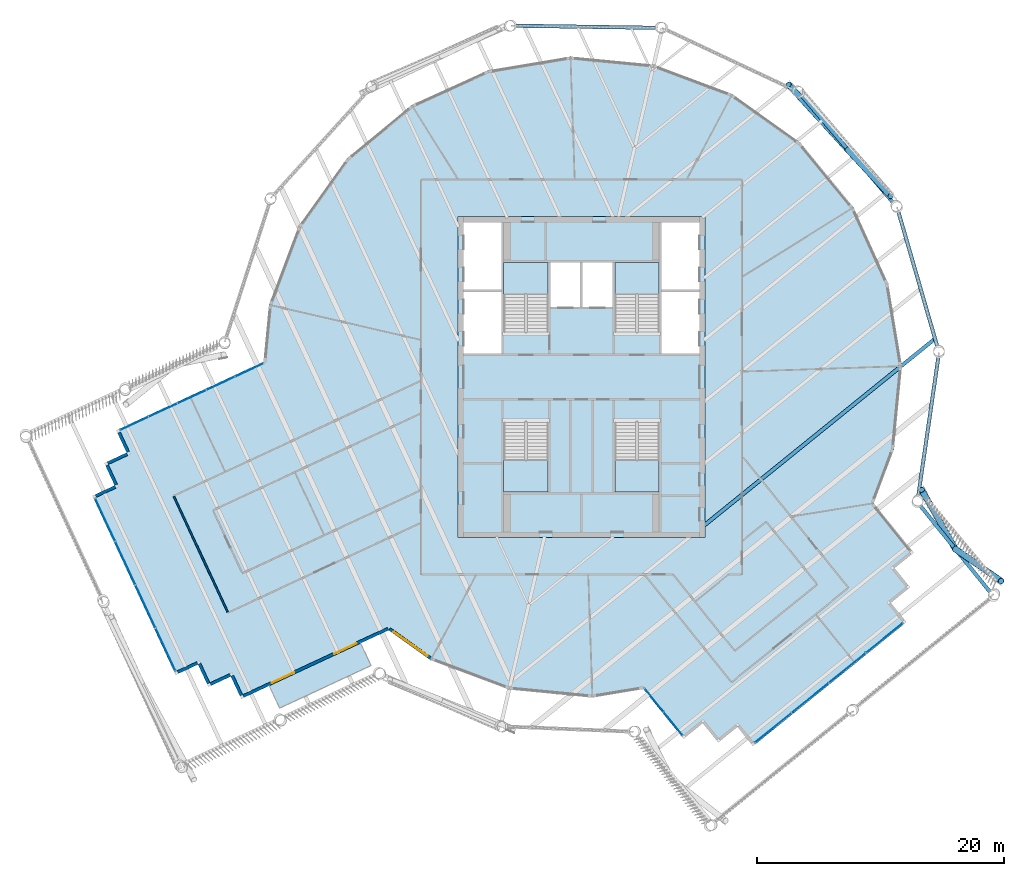
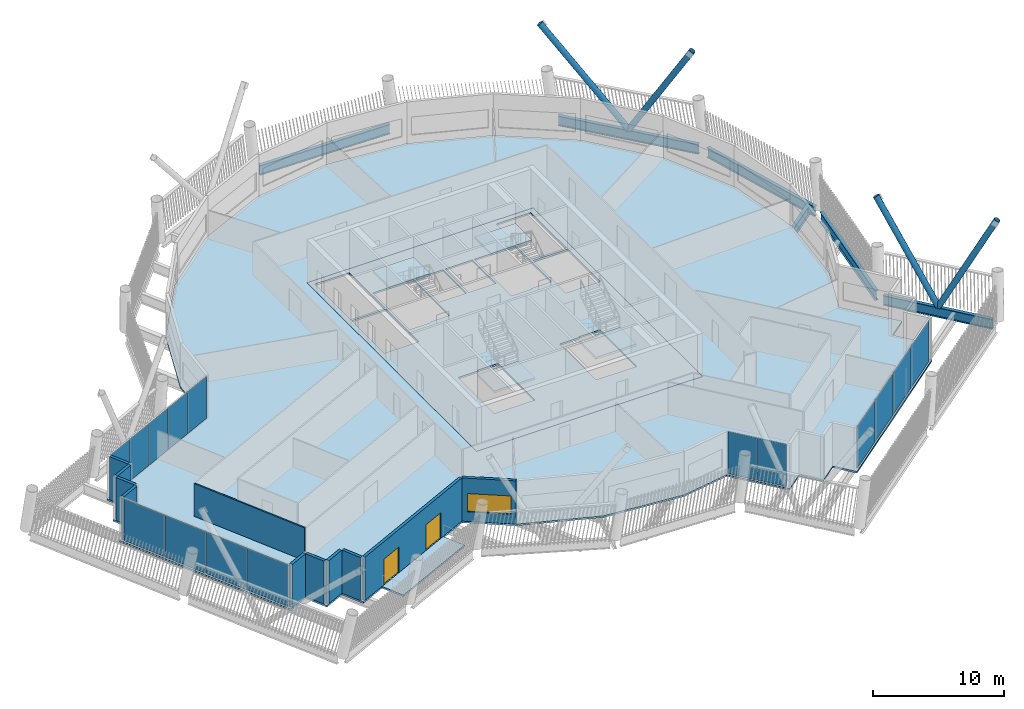
# One storey, part 17 of 36: 15 plates, 11 walls, 7 slabs, 6 beams, 4 members, 2 doors, 1 window, 3 openings, 8 elements without a shape of their own.
"""IFC4 building model written with IfcOpenShell, lengths in metres."""

from ifc_helpers import new_model, si_unit, direction, frame, frame_2d, origin, origin_2d, place, context, subcontext, project, spatial, polyline, rectangle, hollow_circle, i_section, outline, extrude, material, layer, layer_set, material_profile, profile_set, type_object, element, fill, aggregate, save


model = new_model("IFC4")

# Units and contexts
model_context = context("Model", 3, precision=1e-05, world=origin(), true_north=direction((0.0, 1.0)))
body_context = subcontext(model_context, "Body", "Model", "MODEL_VIEW")
ifc_project = project(units=[si_unit("LENGTHUNIT", "METRE"), si_unit("AREAUNIT", "SQUARE_METRE"), si_unit("VOLUMEUNIT", "CUBIC_METRE"), si_unit("PLANEANGLEUNIT", "RADIAN"), si_unit("MASSUNIT", "GRAM", prefix="KILO")], contexts=[model_context])

# Site, building, storey
site_placement = place(None, origin())
site = spatial("IfcSite", under=ifc_project, at=site_placement, CompositionType="ELEMENT")
building_placement = place(site_placement, origin())
building = spatial("IfcBuilding", under=site, at=building_placement, Name="Tarsis Ring Headquarters", CompositionType="ELEMENT")
storey_placement = place(building_placement, frame((0.0, 0.0, 386.0)))
storey = spatial("IfcBuildingStorey", under=building, at=storey_placement, Name="L91", CompositionType="ELEMENT", Elevation=386.0)

# Beam
ifc_material_1 = material(Name="Structural steel S355", Category="steel")
ifc_material_profile_1 = material_profile(ifc_material_1, i_section(OverallWidth=0.3046875, OverallDepth=0.91943359375, WebThickness=0.017333984375, FlangeThickness=0.02783203125, at=origin_2d()), Name="W36x170")
ifc_profile_set_1 = profile_set([ifc_material_profile_1], Name="Structural steel S355")
beam_type_1 = type_object("IfcBeamType", Name="FB Floor beam W36x170", PredefinedType="JOIST", material=ifc_profile_set_1)
beam_1_placement = place(storey_placement, frame((9.922119140625, -12.038818359375, -0.61962890625), z_axis=(0.777581934114, 0.628781628023, 0.0), x_axis=(-0.628781628023, 0.777581934114, 0.0)))
element("IfcBeam", 1, at=beam_1_placement, inside=storey, type_object=beam_type_1, Name="Floor beam FB9", PredefinedType="JOIST", context=body_context, shape_type="SweptSolid", body=[
    extrude(i_section(OverallWidth=0.3046875, OverallDepth=0.91943359375, WebThickness=0.017333984375, FlangeThickness=0.02783203125, at=origin_2d()), origin(), (0.0, 0.0, 1.0), 24.0283203125),
])

# Members
ifc_material_profile_2 = material_profile(ifc_material_1, hollow_circle(Radius=0.25390625, WallThickness=0.02001953125, at=origin_2d()), Name="CHS 508x20")
ifc_profile_set_2 = profile_set([ifc_material_profile_2], Name="Structural steel S355")
member_type = type_object("IfcMemberType", Name="XD X brace CHS 508x20", PredefinedType="BRACE", material=ifc_profile_set_2)
member_1_placement = place(storey_placement, frame((30.307373046875, -13.942138671875, 0.0), z_axis=(-0.271736122795, 0.477972016938, 0.835285717939), x_axis=(-0.869330666579, -0.494230909743, 0.0)))
element("IfcMember", 2, at=member_1_placement, inside=storey, type_object=member_type, Name="X brace XD2", PredefinedType="BRACE", context=body_context, shape_type="SweptSolid", body=[
    extrude(hollow_circle(Radius=0.25390625, WallThickness=0.02001953125, at=origin_2d()), origin(), (0.0, 0.0, 1.0), 10.056396484375),
])
member_2_placement = place(storey_placement, frame((30.307373046875, -13.942138671875, 0.0), z_axis=(0.388406575631, -0.271359902131, 0.88062712627), x_axis=(0.572718881683, 0.819751842062, 0.0)))
element("IfcMember", 3, at=member_2_placement, inside=storey, type_object=member_type, Name="X brace XD2", PredefinedType="BRACE", context=body_context, shape_type="SweptSolid", body=[
    extrude(hollow_circle(Radius=0.25390625, WallThickness=0.02001953125, at=origin_2d()), origin(), (0.0, 0.0, 1.0), 9.53857421875),
])
member_3_placement = place(storey_placement, frame((21.609375, 18.421142578125, 0.0), z_axis=(-0.437052173056, 0.479024935284, 0.761262444498), x_axis=(-0.738729959166, -0.674001518864, 0.0)))
element("IfcMember", 4, at=member_3_placement, inside=storey, type_object=member_type, Name="X brace XD2", PredefinedType="BRACE", context=body_context, shape_type="SweptSolid", body=[
    extrude(hollow_circle(Radius=0.25390625, WallThickness=0.02001953125, at=origin_2d()), origin(), (0.0, 0.0, 1.0), 11.0341796875),
])
member_4_placement = place(storey_placement, frame((21.609375, 18.421142578125, 0.0), z_axis=(0.351883648111, -0.38083657205, 0.85506806956), x_axis=(0.734474435048, 0.678636356424, 0.0)))
element("IfcMember", 5, at=member_4_placement, inside=storey, type_object=member_type, Name="X brace XD2", PredefinedType="BRACE", context=body_context, shape_type="SweptSolid", body=[
    extrude(hollow_circle(Radius=0.25390625, WallThickness=0.02001953125, at=origin_2d()), origin(), (0.0, 0.0, 1.0), 9.82373046875),
])

# Beams
beam_type_2 = type_object("IfcBeamType", Name="XG Ring girder W36x170", PredefinedType="BEAM", material=ifc_profile_set_1)
beam_2_placement = place(storey_placement, frame((33.131103515625, -17.43408203125, -0.459716796875), z_axis=(-0.628783700433, 0.777580258282, 0.0), x_axis=(-0.777580258282, -0.628783700433, 0.0)))
element("IfcBeam", 6, at=beam_2_placement, inside=storey, type_object=beam_type_2, Name="Ring girder XG4", PredefinedType="BEAM", context=body_context, shape_type="SweptSolid", body=[
    extrude(i_section(OverallWidth=0.3046875, OverallDepth=0.91943359375, WebThickness=0.017333984375, FlangeThickness=0.02783203125, at=origin_2d()), origin(), (0.0, 0.0, 1.0), 8.9814453125),
])
for number, where, z_axis, x_axis, name in (
    (7, (27.283935546875, -9.722900390625, -0.459716796875), (0.1432907643, 0.989680633773, 0.0), (-0.989680633773, 0.1432907643, 0.0), "Ring girder XG4"),
    (8, (28.865966796875, 2.387451171875, -0.459716796875), (-0.277370043648, 0.960763164826, 0.0), (-0.960763164826, -0.277370043648, 0.0), "Ring girder XG4"),
):
    element("IfcBeam", number, at=place(storey_placement, frame(where, z_axis=z_axis, x_axis=x_axis)), inside=storey, type_object=beam_type_2, Name=name, PredefinedType="BEAM", context=body_context, shape_type="SweptSolid", body=[
        extrude(i_section(OverallWidth=0.3046875, OverallDepth=0.91943359375, WebThickness=0.017333984375, FlangeThickness=0.02783203125, at=origin_2d()), origin(), (0.0, 0.0, 1.0), 11.42578125),
    ])
beam_3_placement = place(storey_placement, frame((25.315673828125, 14.073486328125, -0.459716796875), z_axis=(-0.648731944502, 0.76101699336, 0.0), x_axis=(-0.76101699336, -0.648731944502, 0.0)))
element("IfcBeam", 9, at=beam_3_placement, inside=storey, type_object=beam_type_2, Name="Ring girder XG4", PredefinedType="BEAM", context=body_context, shape_type="SweptSolid", body=[
    extrude(i_section(OverallWidth=0.3046875, OverallDepth=0.91943359375, WebThickness=0.017333984375, FlangeThickness=0.02783203125, at=origin_2d()), origin(), (0.0, 0.0, 1.0), 11.426025390625),
])
beam_4_placement = place(storey_placement, frame((6.142822265625, 28.3056640625, -0.459716796875), z_axis=(-0.999884916563, 0.015170815061, 0.0), x_axis=(-0.015170815061, -0.999884916563, 0.0)))
element("IfcBeam", 10, at=beam_4_placement, inside=storey, type_object=beam_type_2, Name="Ring girder XG4", PredefinedType="BEAM", context=body_context, shape_type="SweptSolid", body=[
    extrude(i_section(OverallWidth=0.3046875, OverallDepth=0.91943359375, WebThickness=0.017333984375, FlangeThickness=0.02783203125, at=origin_2d()), origin(), (0.0, 0.0, 1.0), 11.42578125),
])

# Slabs
ifc_material_2 = material(Name="Concrete C40/50", Category="concrete")
ifc_layer_1 = layer(ifc_material_2, 0.159912109375)
ifc_layer_set_1 = layer_set([ifc_layer_1], Name="Balcony slab concrete C40/50")
slab_type_1 = type_object("IfcSlabType", Name="Balcony slab concrete C40/50", PredefinedType="FLOOR", material=ifc_layer_set_1)
slab_1_placement = place(storey_placement, frame((0.0, 0.0, -0.159912109375)))
element("IfcSlab", 11, at=slab_1_placement, inside=storey, type_object=slab_type_1, Name="Balcony slab L91-01", PredefinedType="FLOOR", context=body_context, shape_type="SweptSolid", body=[
    extrude(outline(polyline([(-25.307373046875, -25.015625), (-24.46337890625, -26.828857421875), (-17.0546875, -23.38037109375), (-17.898681640625, -21.5673828125), (-25.307373046875, -25.015625)])), origin(), (0.0, 0.0, 1.0), 0.159912109375),
])
ifc_layer_2 = layer(ifc_material_2, 0.159912109375)
ifc_layer_set_2 = layer_set([ifc_layer_2], Name="Core floor slab 160 C40/50")
slab_type_2 = type_object("IfcSlabType", Name="Core floor slab 160 C40/50", PredefinedType="FLOOR", material=ifc_layer_set_2)
slab_2_placement = place(storey_placement, frame((0.0, 0.0, -0.159912109375)))
element("IfcSlab", 12, at=slab_2_placement, inside=storey, type_object=slab_type_2, Name="L91 core floor slab", PredefinedType="FLOOR", context=body_context, shape_type="SweptSolid", body=[
    extrude(outline(polyline([(-10.0, -13.0), (10.0, -13.0), (10.0, 13.0), (-10.0, 13.0), (-10.0, -13.0)]), holes=[polyline([(-2.5, 5.699951171875), (-0.10009765625, 5.699951171875), (-0.10009765625, 9.300048828125), (-2.5, 9.300048828125), (-2.5, 5.699951171875)]), polyline([(0.10009765625, 5.699951171875), (2.5, 5.699951171875), (2.5, 9.300048828125), (0.10009765625, 9.300048828125), (0.10009765625, 5.699951171875)]), polyline([(-9.550048828125, 1.89990234375), (-6.5, 1.89990234375), (-6.5, 6.89990234375), (-9.550048828125, 6.89990234375), (-9.550048828125, 1.89990234375)]), polyline([(-9.550048828125, 7.10009765625), (-6.5, 7.10009765625), (-6.5, 12.550048828125), (-9.550048828125, 12.550048828125), (-9.550048828125, 7.10009765625)]), polyline([(6.5, 1.89990234375), (9.550048828125, 1.89990234375), (9.550048828125, 6.89990234375), (6.5, 6.89990234375), (6.5, 1.89990234375)]), polyline([(6.5, 7.10009765625), (9.550048828125, 7.10009765625), (9.550048828125, 12.550048828125), (6.5, 12.550048828125), (6.5, 7.10009765625)]), polyline([(-2.699951171875, 3.760009765625), (-2.699951171875, 9.300048828125), (-6.300048828125, 9.300048828125), (-6.300048828125, 3.659912109375), (-4.4599609375, 3.659912109375), (-4.4599609375, 3.760009765625), (-2.699951171875, 3.760009765625)]), polyline([(6.300048828125, 3.760009765625), (6.300048828125, 9.300048828125), (2.699951171875, 9.300048828125), (2.699951171875, 3.659912109375), (4.5400390625, 3.659912109375), (4.5400390625, 3.760009765625), (6.300048828125, 3.760009765625)]), polyline([(-6.300048828125, -3.760009765625), (-6.300048828125, -9.300048828125), (-2.699951171875, -9.300048828125), (-2.699951171875, -3.659912109375), (-4.5400390625, -3.659912109375), (-4.5400390625, -3.760009765625), (-6.300048828125, -3.760009765625)]), polyline([(2.699951171875, -3.760009765625), (2.699951171875, -9.300048828125), (6.300048828125, -9.300048828125), (6.300048828125, -3.659912109375), (4.4599609375, -3.659912109375), (4.4599609375, -3.760009765625), (2.699951171875, -3.760009765625)])]), origin(), (0.0, 0.0, 1.0), 0.159912109375),
])

# Stair, slab
ifc_material_3 = material(Name="Core stair 1760")
stair_type = type_object("IfcStairType", Name="Core stair 1760", PredefinedType="HALF_TURN_STAIR", material=ifc_material_3)
stair_1_placement = place(storey_placement, origin())
stair_1 = element("IfcStair", 13, at=stair_1_placement, inside=storey, type_object=stair_type, Name="L91 Firefighting stair", PredefinedType="HALF_TURN_STAIR")
ifc_layer_3 = layer(ifc_material_2, 0.199951171875)
ifc_layer_set_3 = layer_set([ifc_layer_3], Name="Core stair landing 200")
slab_type_3 = type_object("IfcSlabType", Name="Core stair landing 200", PredefinedType="LANDING", material=ifc_layer_set_3)
slab_3_placement = place(storey_placement, frame((0.0, 0.0, 1.89990234375)))
slab_3 = element("IfcSlab", 14, at=slab_3_placement, type_object=slab_type_3, Name="Stair ST1 landing 1", PredefinedType="LANDING", context=body_context, shape_type="SweptSolid", body=[
    extrude(outline(polyline([(-2.699951171875, 6.739990234375), (-2.699951171875, 9.300048828125), (-6.300048828125, 9.300048828125), (-6.300048828125, 6.739990234375), (-2.699951171875, 6.739990234375)])), origin(), (0.0, 0.0, 1.0), 0.2001953125),
])
aggregate(stair_1, [slab_3])

stair_2_placement = place(storey_placement, origin())
stair_2 = element("IfcStair", 15, at=stair_2_placement, inside=storey, type_object=stair_type, Name="L91 Exit stair B", PredefinedType="HALF_TURN_STAIR")
slab_4_placement = place(storey_placement, frame((0.0, 0.0, 1.89990234375)))
slab_4 = element("IfcSlab", 16, at=slab_4_placement, type_object=slab_type_3, Name="Stair ST2 landing 1", PredefinedType="LANDING", context=body_context, shape_type="SweptSolid", body=[
    extrude(outline(polyline([(6.300048828125, 6.739990234375), (6.300048828125, 9.300048828125), (2.699951171875, 9.300048828125), (2.699951171875, 6.739990234375), (6.300048828125, 6.739990234375)])), origin(), (0.0, 0.0, 1.0), 0.2001953125),
])
aggregate(stair_2, [slab_4])

stair_3_placement = place(storey_placement, origin())
stair_3 = element("IfcStair", 17, at=stair_3_placement, inside=storey, type_object=stair_type, Name="L91 Exit stair C", PredefinedType="HALF_TURN_STAIR")
slab_5_placement = place(storey_placement, frame((0.0, 0.0, 1.89990234375)))
slab_5 = element("IfcSlab", 18, at=slab_5_placement, type_object=slab_type_3, Name="Stair ST3 landing 1", PredefinedType="LANDING", context=body_context, shape_type="SweptSolid", body=[
    extrude(outline(polyline([(-6.300048828125, -6.739990234375), (-6.300048828125, -9.300048828125), (-2.699951171875, -9.300048828125), (-2.699951171875, -6.739990234375), (-6.300048828125, -6.739990234375)])), origin(), (0.0, 0.0, 1.0), 0.2001953125),
])
aggregate(stair_3, [slab_5])

stair_4_placement = place(storey_placement, origin())
stair_4 = element("IfcStair", 19, at=stair_4_placement, inside=storey, type_object=stair_type, Name="L91 Exit stair D", PredefinedType="HALF_TURN_STAIR")
slab_6_placement = place(storey_placement, frame((0.0, 0.0, 1.89990234375)))
slab_6 = element("IfcSlab", 20, at=slab_6_placement, type_object=slab_type_3, Name="Stair ST4 landing 1", PredefinedType="LANDING", context=body_context, shape_type="SweptSolid", body=[
    extrude(outline(polyline([(2.699951171875, -6.739990234375), (2.699951171875, -9.300048828125), (6.300048828125, -9.300048828125), (6.300048828125, -6.739990234375), (2.699951171875, -6.739990234375)])), origin(), (0.0, 0.0, 1.0), 0.2001953125),
])
aggregate(stair_4, [slab_6])

# Curtain wall, plates
ifc_material_4 = material(Name="Aluminium curtain wall", Category="aluminium")
ifc_layer_4 = layer(ifc_material_4, 0.199951171875)
ifc_layer_set_4 = layer_set([ifc_layer_4], Name="Curtain wall executive tip")
curtain_wall_type_1 = type_object("IfcCurtainWallType", Name="Curtain wall executive tip", PredefinedType="NOTDEFINED", material=ifc_layer_set_4)
curtain_wall_1_placement = place(storey_placement, origin())
curtain_wall_1 = element("IfcCurtainWall", 21, at=curtain_wall_1_placement, inside=storey, type_object=curtain_wall_type_1, Name="Curtain wall L91-11", PredefinedType="NOTDEFINED")
ifc_material_5 = material(Name="Clear double glazing", Category="glass")
ifc_layer_5 = layer(ifc_material_5, 0.028076171875)
ifc_layer_set_5 = layer_set([ifc_layer_5], Name="Curtain wall glass panel executive tip")
plate_type_1 = type_object("IfcPlateType", Name="Curtain wall glass panel executive tip", PredefinedType="CURTAIN_PANEL", material=ifc_layer_set_5)
plate_1_placement = place(storey_placement, frame((15.5361328125, -28.42919921875, 0.070068359375), z_axis=(0.0, 0.0, 1.0), x_axis=(0.777585116084, 0.628777693024, 0.0)))
plate_1 = element("IfcPlate", 22, at=plate_1_placement, type_object=plate_type_1, Name="CW-E panel 1.1", PredefinedType="CURTAIN_PANEL", context=body_context, shape_type="SweptSolid", body=[
    extrude(rectangle(XDim=3.77001953125, YDim=0.028076171875, at=origin_2d()), origin(), (0.0, 0.0, 1.0), 3.89990234375),
])
plate_2_placement = place(storey_placement, frame((18.53564453125, -26.003662109375, 0.070068359375), z_axis=(0.0, 0.0, 1.0), x_axis=(0.777585116084, 0.628777693024, 0.0)))
plate_2 = element("IfcPlate", 23, at=plate_2_placement, type_object=plate_type_1, Name="CW-E panel 2.1", PredefinedType="CURTAIN_PANEL", context=body_context, shape_type="SweptSolid", body=[
    extrude(rectangle(XDim=3.804931640625, YDim=0.028076171875, at=origin_2d()), origin(), (0.0, 0.0, 1.0), 3.89990234375),
])
plate_3_placement = place(storey_placement, frame((21.548828125, -23.5673828125, 0.070068359375), z_axis=(0.0, 0.0, 1.0), x_axis=(0.777585116084, 0.628777693024, 0.0)))
plate_3 = element("IfcPlate", 24, at=plate_3_placement, type_object=plate_type_1, Name="CW-E panel 3.1", PredefinedType="CURTAIN_PANEL", context=body_context, shape_type="SweptSolid", body=[
    extrude(rectangle(XDim=3.804931640625, YDim=0.028076171875, at=origin_2d()), origin(), (0.0, 0.0, 1.0), 3.89990234375),
])
plate_4_placement = place(storey_placement, frame((24.54833984375, -21.141845703125, 0.070068359375), z_axis=(0.0, 0.0, 1.0), x_axis=(0.777585116084, 0.628777693024, 0.0)))
plate_4 = element("IfcPlate", 25, at=plate_4_placement, type_object=plate_type_1, Name="CW-E panel 4.1", PredefinedType="CURTAIN_PANEL", context=body_context, shape_type="SweptSolid", body=[
    extrude(rectangle(XDim=3.77001953125, YDim=0.028076171875, at=origin_2d()), origin(), (0.0, 0.0, 1.0), 3.89990234375),
])
aggregate(curtain_wall_1, [plate_1, plate_2, plate_3, plate_4])

curtain_wall_2_placement = place(storey_placement, origin())
curtain_wall_2 = element("IfcCurtainWall", 26, at=curtain_wall_2_placement, inside=storey, type_object=curtain_wall_type_1, Name="Curtain wall L91-36", PredefinedType="NOTDEFINED")
plate_5_placement = place(storey_placement, frame((-38.59619140625, -11.572998046875, 0.070068359375), z_axis=(0.0, 0.0, 1.0), x_axis=(0.421985433409, -0.906602610845, 0.0)))
plate_5 = element("IfcPlate", 27, at=plate_5_placement, type_object=plate_type_1, Name="CW-E panel 1.1", PredefinedType="CURTAIN_PANEL", context=body_context, shape_type="SweptSolid", body=[
    extrude(rectangle(XDim=3.77001953125, YDim=0.028076171875, at=origin_2d()), origin(), (0.0, 0.0, 1.0), 3.89990234375),
])
plate_6_placement = place(storey_placement, frame((-36.96826171875, -15.070068359375, 0.070068359375), z_axis=(0.0, 0.0, 1.0), x_axis=(0.421985433409, -0.906602610845, 0.0)))
plate_6 = element("IfcPlate", 28, at=plate_6_placement, type_object=plate_type_1, Name="CW-E panel 2.1", PredefinedType="CURTAIN_PANEL", context=body_context, shape_type="SweptSolid", body=[
    extrude(rectangle(XDim=3.804931640625, YDim=0.028076171875, at=origin_2d()), origin(), (0.0, 0.0, 1.0), 3.89990234375),
])
plate_7_placement = place(storey_placement, frame((-35.333251953125, -18.583251953125, 0.070068359375), z_axis=(0.0, 0.0, 1.0), x_axis=(0.421985433409, -0.906602610845, 0.0)))
plate_7 = element("IfcPlate", 29, at=plate_7_placement, type_object=plate_type_1, Name="CW-E panel 3.1", PredefinedType="CURTAIN_PANEL", context=body_context, shape_type="SweptSolid", body=[
    extrude(rectangle(XDim=3.804931640625, YDim=0.028076171875, at=origin_2d()), origin(), (0.0, 0.0, 1.0), 3.89990234375),
])
plate_8_placement = place(storey_placement, frame((-33.705322265625, -22.080322265625, 0.070068359375), z_axis=(0.0, 0.0, 1.0), x_axis=(0.421985433409, -0.906602610845, 0.0)))
plate_8 = element("IfcPlate", 30, at=plate_8_placement, type_object=plate_type_1, Name="CW-E panel 4.1", PredefinedType="CURTAIN_PANEL", context=body_context, shape_type="SweptSolid", body=[
    extrude(rectangle(XDim=3.77001953125, YDim=0.028076171875, at=origin_2d()), origin(), (0.0, 0.0, 1.0), 3.89990234375),
])
aggregate(curtain_wall_2, [plate_5, plate_6, plate_7, plate_8])

ifc_layer_6 = layer(ifc_material_4, 0.14990234375)
ifc_layer_set_6 = layer_set([ifc_layer_6], Name="Curtain wall tower unit")
curtain_wall_type_2 = type_object("IfcCurtainWallType", Name="Curtain wall tower unit", PredefinedType="NOTDEFINED", material=ifc_layer_set_6)
curtain_wall_3_placement = place(storey_placement, origin())
curtain_wall_3 = element("IfcCurtainWall", 31, at=curtain_wall_3_placement, inside=storey, type_object=curtain_wall_type_2, Name="Curtain wall L91-06", PredefinedType="NOTDEFINED")
ifc_layer_7 = layer(ifc_material_5, 0.028076171875)
ifc_layer_set_7 = layer_set([ifc_layer_7], Name="Curtain wall glass panel tower unit")
plate_type_2 = type_object("IfcPlateType", Name="Curtain wall glass panel tower unit", PredefinedType="CURTAIN_PANEL", material=ifc_layer_set_7)
plate_9_placement = place(storey_placement, frame((5.903076171875, -26.18603515625, 0.06005859375), z_axis=(0.0, 0.0, 1.0), x_axis=(0.628777739954, -0.777585078135, 0.0)))
plate_9 = element("IfcPlate", 32, at=plate_9_placement, type_object=plate_type_2, Name="CW-T panel 1.1", PredefinedType="CURTAIN_PANEL", context=body_context, shape_type="SweptSolid", body=[
    extrude(rectangle(XDim=2.37109375, YDim=0.028076171875, at=origin_2d()), origin(), (0.0, 0.0, 1.0), 3.919921875),
])
plate_10_placement = place(storey_placement, frame((7.431640625, -28.076171875, 0.06005859375), z_axis=(0.0, 0.0, 1.0), x_axis=(0.628777739954, -0.777585078135, 0.0)))
plate_10 = element("IfcPlate", 33, at=plate_10_placement, type_object=plate_type_2, Name="CW-T panel 2.1", PredefinedType="CURTAIN_PANEL", context=body_context, shape_type="SweptSolid", body=[
    extrude(rectangle(XDim=2.37109375, YDim=0.028076171875, at=origin_2d()), origin(), (0.0, 0.0, 1.0), 3.919921875),
])
aggregate(curtain_wall_3, [plate_9, plate_10])

curtain_wall_4_placement = place(storey_placement, origin())
curtain_wall_4 = element("IfcCurtainWall", 34, at=curtain_wall_4_placement, inside=storey, type_object=curtain_wall_type_2, Name="Curtain wall L91-31", PredefinedType="NOTDEFINED")
plate_11_placement = place(storey_placement, frame((-26.908935546875, 0.5732421875, 0.06005859375), z_axis=(0.0, 0.0, 1.0), x_axis=(-0.906602597484, -0.421985462113, 0.0)))
plate_11 = element("IfcPlate", 35, at=plate_11_placement, type_object=plate_type_2, Name="CW-T panel 1.1", PredefinedType="CURTAIN_PANEL", context=body_context, shape_type="SweptSolid", body=[
    extrude(rectangle(XDim=2.490234375, YDim=0.028076171875, at=origin_2d()), origin(), (0.0, 0.0, 1.0), 3.919921875),
])
plate_12_placement = place(storey_placement, frame((-29.234619140625, -0.50927734375, 0.06005859375), z_axis=(0.0, 0.0, 1.0), x_axis=(-0.906602597484, -0.421985462113, 0.0)))
plate_12 = element("IfcPlate", 36, at=plate_12_placement, type_object=plate_type_2, Name="CW-T panel 2.1", PredefinedType="CURTAIN_PANEL", context=body_context, shape_type="SweptSolid", body=[
    extrude(rectangle(XDim=2.520263671875, YDim=0.028076171875, at=origin_2d()), origin(), (0.0, 0.0, 1.0), 3.919921875),
])
plate_13_placement = place(storey_placement, frame((-31.573974609375, -1.597900390625, 0.06005859375), z_axis=(0.0, 0.0, 1.0), x_axis=(-0.906602597484, -0.421985462113, 0.0)))
plate_13 = element("IfcPlate", 37, at=plate_13_placement, type_object=plate_type_2, Name="CW-T panel 3.1", PredefinedType="CURTAIN_PANEL", context=body_context, shape_type="SweptSolid", body=[
    extrude(rectangle(XDim=2.520263671875, YDim=0.028076171875, at=origin_2d()), origin(), (0.0, 0.0, 1.0), 3.919921875),
])
plate_14_placement = place(storey_placement, frame((-33.913330078125, -2.686767578125, 0.06005859375), z_axis=(0.0, 0.0, 1.0), x_axis=(-0.906602597484, -0.421985462113, 0.0)))
plate_14 = element("IfcPlate", 38, at=plate_14_placement, type_object=plate_type_2, Name="CW-T panel 4.1", PredefinedType="CURTAIN_PANEL", context=body_context, shape_type="SweptSolid", body=[
    extrude(rectangle(XDim=2.520263671875, YDim=0.028076171875, at=origin_2d()), origin(), (0.0, 0.0, 1.0), 3.919921875),
])
plate_15_placement = place(storey_placement, frame((-36.23876953125, -3.769287109375, 0.06005859375), z_axis=(0.0, 0.0, 1.0), x_axis=(-0.906602597484, -0.421985462113, 0.0)))
plate_15 = element("IfcPlate", 39, at=plate_15_placement, type_object=plate_type_2, Name="CW-T panel 5.1", PredefinedType="CURTAIN_PANEL", context=body_context, shape_type="SweptSolid", body=[
    extrude(rectangle(XDim=2.490234375, YDim=0.028076171875, at=origin_2d()), origin(), (0.0, 0.0, 1.0), 3.919921875),
])
aggregate(curtain_wall_4, [plate_11, plate_12, plate_13, plate_14, plate_15])

# Slab
ifc_material_6 = material(Name="Concrete C35/45", Category="concrete")
ifc_layer_8 = layer(ifc_material_6, 0.159912109375)
ifc_layer_set_8 = layer_set([ifc_layer_8], Name="FS Composite floor slab 160")
slab_type_4 = type_object("IfcSlabType", Name="FS Composite floor slab 160", PredefinedType="FLOOR", material=ifc_layer_set_8)
slab_7_placement = place(storey_placement, frame((0.0, 0.0, -0.159912109375)))
element("IfcSlab", 40, at=slab_7_placement, inside=storey, type_object=slab_type_4, Name="Floor slab L91", PredefinedType="FLOOR", context=body_context, shape_type="SweptSolid", body=[
    extrude(outline(polyline([(-15.632080078125, -20.51220703125), (-12.22216796875, -22.947998046875), (-5.866455078125, -25.32958984375), (0.88916015625, -25.98486328125), (5.022705078125, -25.296142578125), (8.274658203125, -29.317626953125), (9.829833984375, -28.06005859375), (11.08740234375, -29.615234375), (12.642578125, -28.357666015625), (13.900146484375, -29.912841796875), (26.341552734375, -19.8525390625), (25.083984375, -18.29736328125), (26.63916015625, -17.039794921875), (25.381591796875, -15.484619140625), (26.936767578125, -14.22705078125), (23.69775390625, -10.221435546875), (25.32958984375, -5.866455078125), (25.98486328125, 0.88916015625), (24.869140625, 7.584228515625), (22.058837890625, 13.762451171875), (17.7451171875, 19.0029296875), (12.22216796875, 22.947998046875), (5.866455078125, 25.32958984375), (-0.88916015625, 25.98486328125), (-7.584228515625, 24.869140625), (-13.762451171875, 22.058837890625), (-19.0029296875, 17.7451171875), (-22.947998046875, 12.22216796875), (-25.32958984375, 5.866455078125), (-25.778564453125, 1.2373046875), (-37.701416015625, -4.312255859375), (-36.857666015625, -6.12548828125), (-38.670654296875, -6.969482421875), (-37.826904296875, -8.78271484375), (-39.639892578125, -9.626708984375), (-32.88818359375, -24.13232421875), (-31.074951171875, -23.288330078125), (-30.23095703125, -25.1015625), (-28.417724609375, -24.257568359375), (-27.573974609375, -26.07080078125), (-15.632080078125, -20.51220703125)]), holes=[polyline([(-10.0, -13.0), (-10.0, 13.0), (10.0, 13.0), (10.0, -13.0), (-10.0, -13.0)])]), origin(), (0.0, 0.0, 1.0), 0.159912109375),
])

# Wall
ifc_material_7 = material(Name="Gypsum board on steel studs", Category="steel")
ifc_layer_9 = layer(ifc_material_7, 0.125)
ifc_layer_set_9 = layer_set([ifc_layer_9], Name="FL partition 125 EI 60 H3070")
wall_type_1 = type_object("IfcWallType", Name="FL partition 125 EI 60 H3070", PredefinedType="PARTITIONING", material=ifc_layer_set_9)
wall_1_placement = place(storey_placement, frame((-33.029052734375, -9.68212890625, 0.0), z_axis=(0.0, 0.0, 1.0), x_axis=(0.421979963956, -0.906605156625, 0.0)))
element("IfcWall", 41, at=wall_1_placement, inside=storey, type_object=wall_type_1, Name="Partition PW1H307", PredefinedType="PARTITIONING", context=body_context, shape_type="SweptSolid", body=[
    extrude(rectangle(XDim=10.31982421875, YDim=0.125, at=frame_2d((5.159912109375, 0.0))), origin(), (0.0, 0.0, 1.0), 3.070068359375),
])

# Wall, openings, doors
ifc_material_8 = material(Name="Terracotta clad insulated panel wall", Category="masonry")
ifc_layer_10 = layer(ifc_material_8, 0.25)
ifc_layer_set_10 = layer_set([ifc_layer_10], Name="Facade wall terracotta panel 250")
wall_type_2 = type_object("IfcWallType", Name="Facade wall terracotta panel 250", PredefinedType="STANDARD", material=ifc_layer_set_10)
wall_2_placement = place(storey_placement, frame((-27.39990234375, -25.851806640625, 0.0), z_axis=(0.0, 0.0, 1.0), x_axis=(0.90660262447, 0.421985404137, 0.0)))
wall_2 = element("IfcWall", 42, at=wall_2_placement, inside=storey, type_object=wall_type_2, Name="External wall L91-01", PredefinedType="STANDARD", context=body_context, shape_type="SweptSolid", body=[
    extrude(rectangle(XDim=12.921875, YDim=0.25, at=frame_2d((6.4609375, 0.0))), origin(), (0.0, 0.0, 1.0), 4.0400390625),
])
opening_1_placement = place(wall_2_placement, frame((2.550048828125, 0.0, 0.0)))
opening_1 = element("IfcOpeningElement", 43, at=opening_1_placement, cuts=wall_2, Name="Opening L91-BD01", PredefinedType="OPENING", context=body_context, shape_type="SweptSolid", body=[
    extrude(rectangle(XDim=2.0, YDim=2.39990234375, at=frame_2d((1.0, 1.199951171875))), frame((0.0, 0.135009765625, 0.0), z_axis=(0.0, -1.0, 0.0), x_axis=(1.0, 0.0, 0.0)), (0.0, 0.0, 1.0), 0.27001953125),
])
opening_2_placement = place(wall_2_placement, frame((8.1220703125, 0.0, 0.0)))
opening_2 = element("IfcOpeningElement", 44, at=opening_2_placement, cuts=wall_2, Name="Opening L91-BD02", PredefinedType="OPENING", context=body_context, shape_type="SweptSolid", body=[
    extrude(rectangle(XDim=2.0, YDim=2.39990234375, at=frame_2d((1.0, 1.199951171875))), frame((0.0, 0.135009765625, 0.0), z_axis=(0.0, -1.0, 0.0), x_axis=(1.0, 0.0, 0.0)), (0.0, 0.0, 1.0), 0.27001953125),
])
ifc_material_9 = material(Name="Aluminium framed double glazing", Category="aluminium")
door_type = type_object("IfcDoorType", Name="Balcony sliding door 2000 x 2400", OperationType="SLIDING_TO_LEFT", PredefinedType="DOOR", material=ifc_material_9)
door_1_placement = place(opening_1_placement, origin())
door_1 = element("IfcDoor", 45, at=door_1_placement, inside=storey, type_object=door_type, Name="Door L91-BD01", OperationType="SINGLE_SWING_LEFT", OverallHeight=2.39990234375, OverallWidth=2.0, PredefinedType="DOOR", context=body_context, shape_type="SweptSolid", body=[
    extrude(rectangle(XDim=2.0, YDim=2.39990234375, at=frame_2d((1.0, 1.199951171875))), frame((0.0, 0.02490234375, 0.0), z_axis=(0.0, -1.0, 0.0), x_axis=(1.0, 0.0, 0.0)), (0.0, 0.0, 1.0), 0.050048828125),
])
fill(opening_1, door_1)
door_2_placement = place(opening_2_placement, origin())
door_2 = element("IfcDoor", 46, at=door_2_placement, inside=storey, type_object=door_type, Name="Door L91-BD02", OperationType="SINGLE_SWING_LEFT", OverallHeight=2.39990234375, OverallWidth=2.0, PredefinedType="DOOR", context=body_context, shape_type="SweptSolid", body=[
    extrude(rectangle(XDim=2.0, YDim=2.39990234375, at=frame_2d((1.0, 1.199951171875))), frame((0.0, 0.02490234375, 0.0), z_axis=(0.0, -1.0, 0.0), x_axis=(1.0, 0.0, 0.0)), (0.0, 0.0, 1.0), 0.050048828125),
])
fill(opening_2, door_2)

# Wall, opening, window
wall_3_placement = place(storey_placement, frame((-15.559326171875, -20.41064453125, 0.0), z_axis=(0.0, 0.0, 1.0), x_axis=(0.813709662622, -0.581271524295, 0.0)))
wall_3 = element("IfcWall", 47, at=wall_3_placement, inside=storey, type_object=wall_type_2, Name="External wall L91-02", PredefinedType="STANDARD", context=body_context, shape_type="SweptSolid", body=[
    extrude(rectangle(XDim=4.1572265625, YDim=0.25, at=frame_2d((2.07861328125, 0.0))), origin(), (0.0, 0.0, 1.0), 4.0400390625),
])
opening_3_placement = place(wall_3_placement, frame((0.420166015625, 0.0, 0.89990234375)))
opening_3 = element("IfcOpeningElement", 48, at=opening_3_placement, cuts=wall_3, Name="Opening WN01", PredefinedType="OPENING", context=body_context, shape_type="SweptSolid", body=[
    extrude(rectangle(XDim=3.35009765625, YDim=1.699951171875, at=frame_2d((1.675048828125, 0.85009765625))), frame((0.0, 0.135009765625, 0.0), z_axis=(0.0, -1.0, 0.0), x_axis=(1.0, 0.0, 0.0)), (0.0, 0.0, 1.0), 0.27001953125),
])
window_type = type_object("IfcWindowType", Name="Facade window 3350 x 1700", PartitioningType="SINGLE_PANEL", PredefinedType="WINDOW", material=ifc_material_9)
window_placement = place(opening_3_placement, origin())
window = element("IfcWindow", 49, at=window_placement, inside=storey, type_object=window_type, Name="Window L91-02.1", OverallHeight=1.699951171875, OverallWidth=3.35009765625, PartitioningType="SINGLE_PANEL", PredefinedType="WINDOW", context=body_context, shape_type="SweptSolid", body=[
    extrude(rectangle(XDim=3.35009765625, YDim=1.699951171875, at=frame_2d((1.675048828125, 0.85009765625))), frame((0.0, 0.030029296875, 0.0), z_axis=(0.0, -1.0, 0.0), x_axis=(1.0, 0.0, 0.0)), (0.0, 0.0, 1.0), 0.06005859375),
])
fill(opening_3, window)

# Walls
for number, where, z_axis, x_axis, name in (
    (50, (-37.482666015625, -4.486083984375, 0.0), (0.0, 0.0, 1.0), (0.42198411383, -0.906603225052, 0.0), "External wall L91-32"),
    (51, (-36.8046875, -6.23876953125, 0.0), (0.0, 0.0, 1.0), (-0.906603225052, -0.42198411383, 0.0), "External wall L91-33"),
    (52, (-38.451904296875, -7.143310546875, 0.0), (0.0, 0.0, 1.0), (0.42198411383, -0.906603225052, 0.0), "External wall L91-34"),
    (53, (-37.77392578125, -8.89599609375, 0.0), (0.0, 0.0, 1.0), (-0.906603225052, -0.42198411383, 0.0), "External wall L91-35"),
):
    element("IfcWall", number, at=place(storey_placement, frame(where, z_axis=z_axis, x_axis=x_axis)), inside=storey, type_object=wall_type_2, Name=name, PredefinedType="STANDARD", context=body_context, shape_type="SweptSolid", body=[
        extrude(rectangle(XDim=1.750244140625, YDim=0.25, at=frame_2d((0.875, 0.0))), origin(), (0.0, 0.0, 1.0), 4.0400390625),
    ])
for number, where, z_axis, x_axis, name in (
    (54, (-32.71435546875, -23.913330078125, 0.0), (0.0, 0.0, 1.0), (0.90665658933, 0.421869445474, 0.0), "External wall L91-37"),
    (55, (-30.961669921875, -23.235595703125, 0.0), (0.0, 0.0, 1.0), (0.422037488237, -0.906578379691, 0.0), "External wall L91-38"),
):
    element("IfcWall", number, at=place(storey_placement, frame(where, z_axis=z_axis, x_axis=x_axis)), inside=storey, type_object=wall_type_2, Name=name, PredefinedType="STANDARD", context=body_context, shape_type="SweptSolid", body=[
        extrude(rectangle(XDim=1.75, YDim=0.25, at=frame_2d((0.875, 0.0))), origin(), (0.0, 0.0, 1.0), 4.0400390625),
    ])
wall_4_placement = place(storey_placement, frame((-30.05712890625, -24.882568359375, 0.0), z_axis=(0.0, 0.0, 1.0), x_axis=(0.906631756007, 0.42192281166, 0.0)))
element("IfcWall", 56, at=wall_4_placement, inside=storey, type_object=wall_type_2, Name="External wall L91-39", PredefinedType="STANDARD", context=body_context, shape_type="SweptSolid", body=[
    extrude(rectangle(XDim=1.749755859375, YDim=0.25, at=frame_2d((0.875, 0.0))), origin(), (0.0, 0.0, 1.0), 4.0400390625),
])
wall_5_placement = place(storey_placement, frame((-28.304443359375, -24.204833984375, 0.0), z_axis=(0.0, 0.0, 1.0), x_axis=(0.422037488237, -0.906578379691, 0.0)))
element("IfcWall", 57, at=wall_5_placement, inside=storey, type_object=wall_type_2, Name="External wall L91-40", PredefinedType="STANDARD", context=body_context, shape_type="SweptSolid", body=[
    extrude(rectangle(XDim=1.75, YDim=0.25, at=frame_2d((0.875, 0.0))), origin(), (0.0, 0.0, 1.0), 4.0400390625),
])

save(model, "model.ifc")
